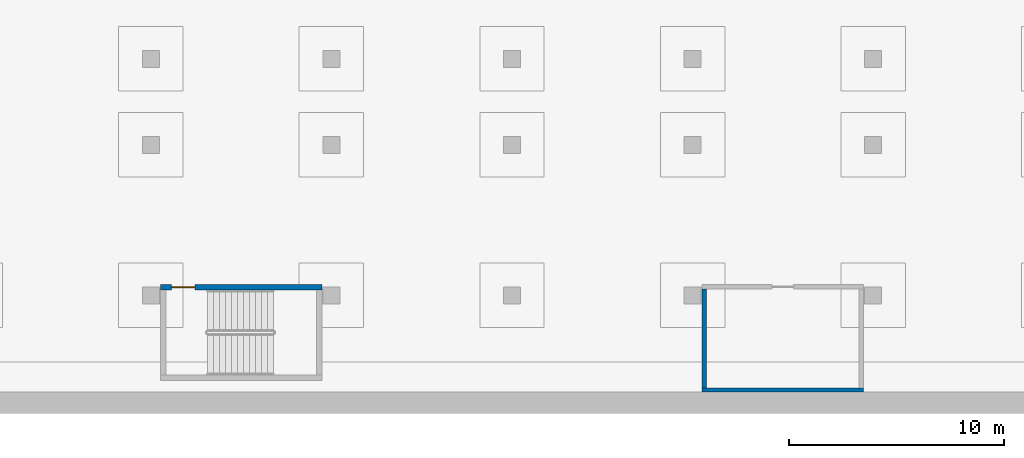
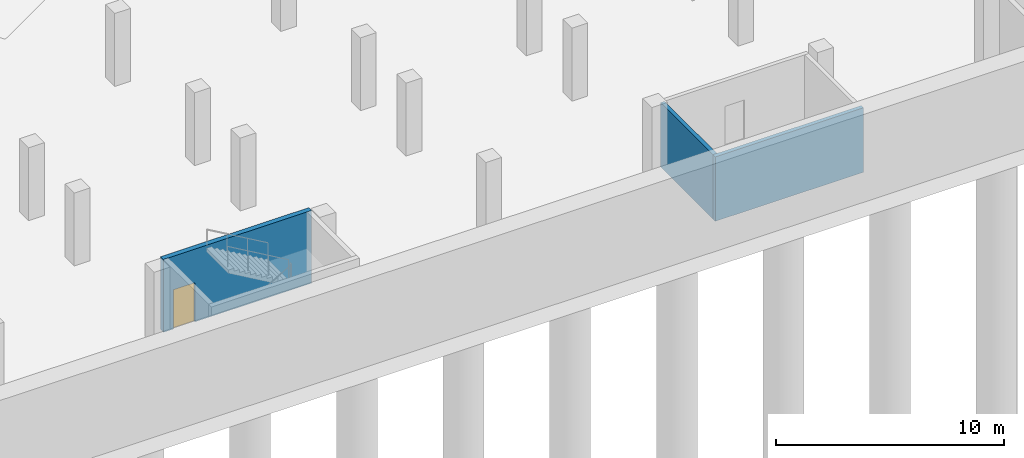
# One storey, part 4 of 27: 3 walls, 1 door, 1 opening.
"""IFC4 building model written with IfcOpenShell, lengths in metres."""

from ifc_helpers import new_model, si_unit, direction, frame, frame_2d, origin, place, context, subcontext, project, spatial, rectangle, extrude, material, layer, layer_set, type_object, element, fill, save


model = new_model("IFC4")

# Units and contexts
model_context = context("Model", 3, precision=1e-05, world=origin(), true_north=direction((0.0, 1.0)))
body_context = subcontext(model_context, "Body", "Model", "MODEL_VIEW")
ifc_project = project(units=[si_unit("LENGTHUNIT", "METRE"), si_unit("AREAUNIT", "SQUARE_METRE"), si_unit("VOLUMEUNIT", "CUBIC_METRE"), si_unit("PLANEANGLEUNIT", "RADIAN"), si_unit("MASSUNIT", "GRAM", prefix="KILO")], contexts=[model_context])

# Site, building, storey
site_placement = place(None, origin())
site = spatial("IfcSite", under=ifc_project, at=site_placement, CompositionType="ELEMENT")
building_placement = place(site_placement, origin())
building = spatial("IfcBuilding", under=site, at=building_placement, Name="Verdalira Terraces Hotel", CompositionType="ELEMENT")
storey_placement = place(building_placement, frame((0.0, 0.0, -11.699951)))
storey = spatial("IfcBuildingStorey", under=building, at=storey_placement, Name="B3", CompositionType="ELEMENT", Elevation=-11.699951171875)

# Walls
ifc_material_1 = material(Name="Concrete C40", Category="concrete")
ifc_layer_1 = layer(ifc_material_1, 0.199951171875)
ifc_layer_set_1 = layer_set([ifc_layer_1], Name="Service room wall 200 C40")
wall_type_1 = type_object("IfcWallType", Name="Service room wall 200 C40", PredefinedType="PARTITIONING", material=ifc_layer_set_1)
wall_1_placement = place(storey_placement, frame((-7.949951, -52.899902, 0.0), z_axis=(0.0, 0.0, 1.0), x_axis=(1.0, 0.0, 0.0)))
element("IfcWall", 1, at=wall_1_placement, inside=storey, type_object=wall_type_1, Name="Generator room wall", PredefinedType="PARTITIONING", context=body_context, shape_type="SweptSolid", body=[
    extrude(rectangle(XDim=7.5, YDim=0.199951, at=frame_2d((3.75, 0.0))), origin(), (0.0, 0.0, 1.0), 3.449951),
])
wall_2_placement = place(storey_placement, frame((-7.850098, -52.800049, 0.0), z_axis=(0.0, 0.0, 1.0), x_axis=(0.0, 1.0, 0.0)))
element("IfcWall", 2, at=wall_2_placement, inside=storey, type_object=wall_type_1, Name="Generator room wall", PredefinedType="PARTITIONING", context=body_context, shape_type="SweptSolid", body=[
    extrude(rectangle(XDim=4.600098, YDim=0.199951, at=frame_2d((2.300049, 0.0))), origin(), (0.0, 0.0, 1.0), 3.449951),
])

# Wall, opening, door
ifc_material_2 = material(Name="Concrete C40", Category="concrete")
ifc_layer_2 = layer(ifc_material_2, 0.25)
ifc_layer_set_2 = layer_set([ifc_layer_2], Name="Stair enclosure wall 250 C40")
wall_type_2 = type_object("IfcWallType", Name="Stair enclosure wall 250 C40", PredefinedType="SOLIDWALL", material=ifc_layer_set_2)
wall_3_placement = place(storey_placement, frame((-33.149902, -48.125, 0.0), z_axis=(0.0, 0.0, 1.0), x_axis=(1.0, 0.0, 0.0)))
wall_3 = element("IfcWall", 3, at=wall_3_placement, inside=storey, type_object=wall_type_2, Name="Stair BS1 enclosure wall", PredefinedType="SOLIDWALL", context=body_context, shape_type="SweptSolid", body=[
    extrude(rectangle(XDim=7.5, YDim=0.25, at=frame_2d((3.75, 0.0))), origin(), (0.0, 0.0, 1.0), 3.899902),
])
opening_placement = place(wall_3_placement, frame((0.5, 0.0, 0.0)))
opening = element("IfcOpeningElement", 4, at=opening_placement, cuts=wall_3, Name="Opening B3-D601", PredefinedType="OPENING", context=body_context, shape_type="SweptSolid", body=[
    extrude(rectangle(XDim=1.100098, YDim=2.100098, at=frame_2d((0.550049, 1.050049))), frame((0.0, 0.13501, 0.0), z_axis=(0.0, -1.0, 0.0), x_axis=(1.0, 0.0, 0.0)), (0.0, 0.0, 1.0), 0.27002),
])
ifc_material_3 = material(Name="Steel fire door", Category="steel")
door_type = type_object("IfcDoorType", Name="Stair door 1100 x 2100", OperationType="SINGLE_SWING_LEFT", PredefinedType="DOOR", material=ifc_material_3)
door_placement = place(opening_placement, origin())
door = element("IfcDoor", 5, at=door_placement, inside=storey, type_object=door_type, Name="Stair BS1 door", OperationType="SINGLE_SWING_RIGHT", OverallHeight=2.10009765625, OverallWidth=1.10009765625, PredefinedType="DOOR", context=body_context, shape_type="SweptSolid", body=[
    extrude(rectangle(XDim=1.100098, YDim=2.100098, at=frame_2d((0.550049, 1.050049))), frame((0.0, 0.024902, 0.0), z_axis=(0.0, -1.0, 0.0), x_axis=(1.0, 0.0, 0.0)), (0.0, 0.0, 1.0), 0.050049),
])
fill(opening, door)

save(model, "model.ifc")
